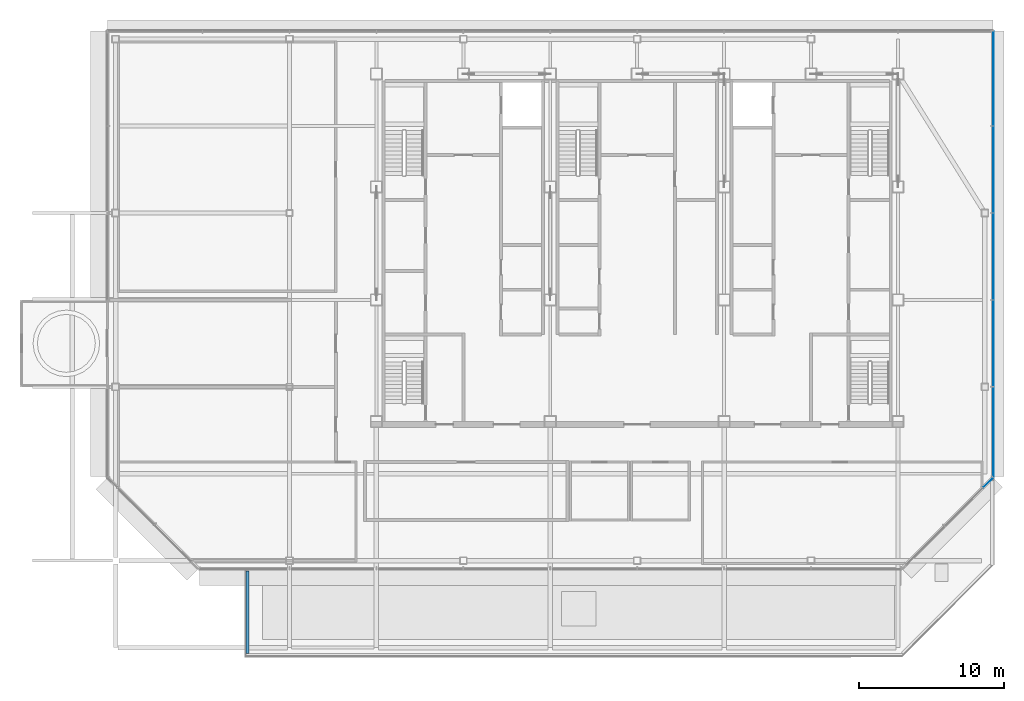
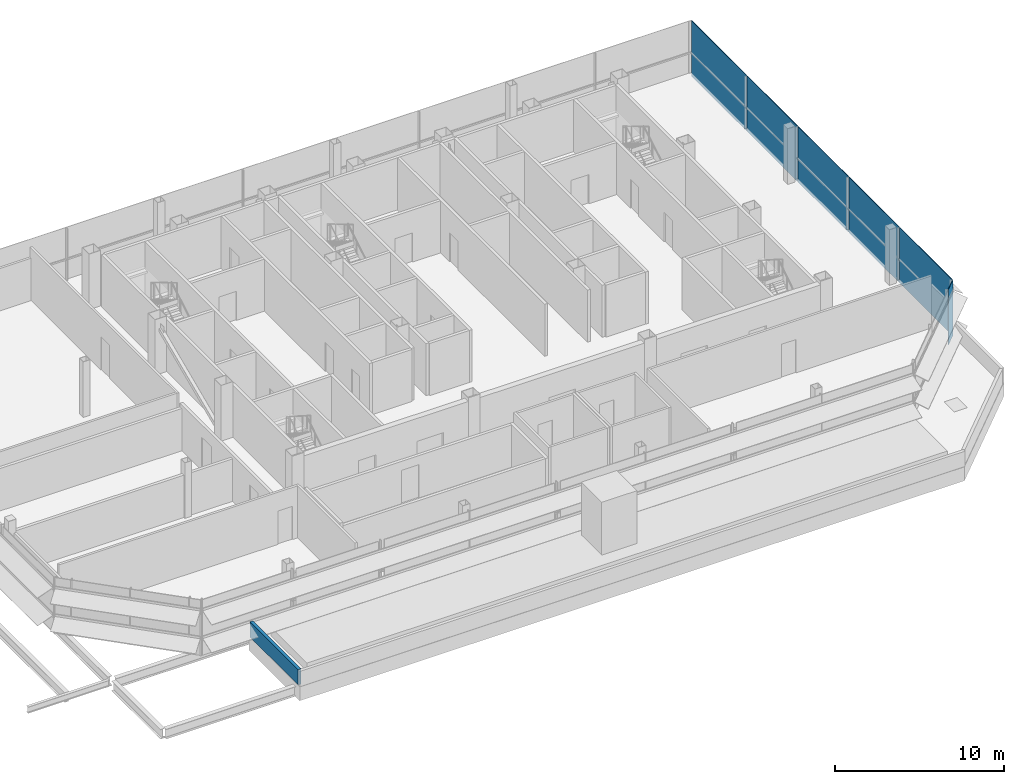
# One storey, part 19 of 26: 6 plates, 1 wall, 2 elements without a shape of their own.
"""IFC4 building model written with IfcOpenShell, lengths in metres."""

from ifc_helpers import new_model, si_unit, direction, frame, frame_2d, origin, origin_2d, place, context, subcontext, project, spatial, rectangle, extrude, material, layer, layer_set, type_object, element, aggregate, save


model = new_model("IFC4")

# Units and contexts
model_context = context("Model", 3, precision=1e-05, world=origin(), true_north=direction((0.0, 1.0)))
body_context = subcontext(model_context, "Body", "Model", "MODEL_VIEW")
ifc_project = project(units=[si_unit("LENGTHUNIT", "METRE"), si_unit("AREAUNIT", "SQUARE_METRE"), si_unit("VOLUMEUNIT", "CUBIC_METRE"), si_unit("PLANEANGLEUNIT", "RADIAN"), si_unit("MASSUNIT", "GRAM", prefix="KILO")], contexts=[model_context])

# Site, building, storey
site_placement = place(None, origin())
site = spatial("IfcSite", under=ifc_project, at=site_placement, CompositionType="ELEMENT")
building_placement = place(site_placement, origin())
building = spatial("IfcBuilding", under=site, at=building_placement, Name="Sorahane Residences", CompositionType="ELEMENT")
storey_placement = place(building_placement, frame((0.0, 0.0, 337.800048828125)))
storey = spatial("IfcBuildingStorey", under=building, at=storey_placement, Name="L80", CompositionType="ELEMENT", Elevation=337.800048828125)

# Curtain wall, plate
ifc_material_1 = material(Name="Dark low-e glass and black anodised aluminium", Category="aluminium")
curtain_wall_type = type_object("IfcCurtainWallType", Name="Curtain wall CW-6 Crown unitised wall", PredefinedType="NOTDEFINED", material=ifc_material_1)
curtain_wall_1_placement = place(storey_placement, origin())
curtain_wall_1 = element("IfcCurtainWall", 1, at=curtain_wall_1_placement, inside=storey, type_object=curtain_wall_type, Name="CW-6 curtain wall L80 SE1", PredefinedType="NOTDEFINED")
ifc_material_2 = material(Name="Dark low-e glass with black ceramic frit", Category="glass")
ifc_layer_1 = layer(ifc_material_2, 0.0400390625)
ifc_layer_set_1 = layer_set([ifc_layer_1], Name="Curtain wall glass panel dark low-e crown with black frit spandrel band")
plate_type = type_object("IfcPlateType", Name="Curtain wall glass panel dark low-e crown with black frit spandrel band", PredefinedType="CURTAIN_PANEL", material=ifc_layer_set_1)
plate_1_placement = place(storey_placement, frame((48.2265625, 17.3779296875, -0.25), z_axis=(0.0, 0.0, 1.0), x_axis=(0.707106781187, 0.707106781187, 0.0)))
plate_1 = element("IfcPlate", 2, at=plate_1_placement, type_object=plate_type, Name="CW-6 glass panel L80 SE1.4", PredefinedType="CURTAIN_PANEL", context=body_context, shape_type="SweptSolid", body=[
    extrude(rectangle(XDim=0.956298828125, YDim=0.0400390625, at=origin_2d()), origin(), (0.0, 0.0, 1.0), 4.0),
])
aggregate(curtain_wall_1, [plate_1])

# Curtain wall, plates
curtain_wall_2_placement = place(storey_placement, origin())
curtain_wall_2 = element("IfcCurtainWall", 3, at=curtain_wall_2_placement, inside=storey, type_object=curtain_wall_type, Name="CW-6 curtain wall L80 E1", PredefinedType="NOTDEFINED")
plate_2_placement = place(storey_placement, frame((48.60009765625, 20.88818359375, -0.25), z_axis=(0.0, 0.0, 1.0), x_axis=(0.0, 1.0, 0.0)))
plate_2 = element("IfcPlate", 4, at=plate_2_placement, type_object=plate_type, Name="CW-6 glass panel L80 E1.1", PredefinedType="CURTAIN_PANEL", context=body_context, shape_type="SweptSolid", body=[
    extrude(rectangle(XDim=6.173583984375, YDim=0.0400390625, at=origin_2d()), origin(), (0.0, 0.0, 1.0), 4.0),
])
plate_3_placement = place(storey_placement, frame((48.60009765625, 27.0, -0.25), z_axis=(0.0, 0.0, 1.0), x_axis=(0.0, 1.0, 0.0)))
plate_3 = element("IfcPlate", 5, at=plate_3_placement, type_object=plate_type, Name="CW-6 glass panel L80 E1.2", PredefinedType="CURTAIN_PANEL", context=body_context, shape_type="SweptSolid", body=[
    extrude(rectangle(XDim=5.949951171875, YDim=0.0400390625, at=origin_2d()), origin(), (0.0, 0.0, 1.0), 4.0),
])
plate_4_placement = place(storey_placement, frame((48.60009765625, 33.0, -0.25), z_axis=(0.0, 0.0, 1.0), x_axis=(0.0, 1.0, 0.0)))
plate_4 = element("IfcPlate", 6, at=plate_4_placement, type_object=plate_type, Name="CW-6 glass panel L80 E1.3", PredefinedType="CURTAIN_PANEL", context=body_context, shape_type="SweptSolid", body=[
    extrude(rectangle(XDim=5.949951171875, YDim=0.0400390625, at=origin_2d()), origin(), (0.0, 0.0, 1.0), 4.0),
])
plate_5_placement = place(storey_placement, frame((48.60009765625, 39.0, -0.25), z_axis=(0.0, 0.0, 1.0), x_axis=(0.0, 1.0, 0.0)))
plate_5 = element("IfcPlate", 7, at=plate_5_placement, type_object=plate_type, Name="CW-6 glass panel L80 E1.4", PredefinedType="CURTAIN_PANEL", context=body_context, shape_type="SweptSolid", body=[
    extrude(rectangle(XDim=5.949951171875, YDim=0.0400390625, at=origin_2d()), origin(), (0.0, 0.0, 1.0), 4.0),
])
plate_6_placement = place(storey_placement, frame((48.60009765625, 45.28759765625, -0.25), z_axis=(0.0, 0.0, 1.0), x_axis=(0.0, 1.0, 0.0)))
plate_6 = element("IfcPlate", 8, at=plate_6_placement, type_object=plate_type, Name="CW-6 glass panel L80 E1.5", PredefinedType="CURTAIN_PANEL", context=body_context, shape_type="SweptSolid", body=[
    extrude(rectangle(XDim=6.52490234375, YDim=0.0400390625, at=origin_2d()), origin(), (0.0, 0.0, 1.0), 4.0),
])
aggregate(curtain_wall_2, [plate_2, plate_3, plate_4, plate_5, plate_6])

# Wall
ifc_material_3 = material(Name="Concrete C35", Category="concrete")
ifc_layer_2 = layer(ifc_material_3, 0.199951171875)
ifc_layer_set_2 = layer_set([ifc_layer_2], Name="Parapet wall Concrete C35 200")
wall_type = type_object("IfcWallType", Name="Parapet wall Concrete C35 200", PredefinedType="PARAPET", material=ifc_layer_set_2)
wall_placement = place(storey_placement, frame((-2.89990234375, 5.60009765625, 0.0), z_axis=(0.0, 0.0, 1.0), x_axis=(0.0, 1.0, 0.0)))
element("IfcWall", 9, at=wall_placement, inside=storey, type_object=wall_type, Name="Roof parapet L80.1.1.4", PredefinedType="PARAPET", context=body_context, shape_type="SweptSolid", body=[
    extrude(rectangle(XDim=5.699951171875, YDim=0.199951171875, at=frame_2d((2.85009765625, 0.0))), origin(), (0.0, 0.0, 1.0), 1.099853515625),
])

save(model, "model.ifc")
